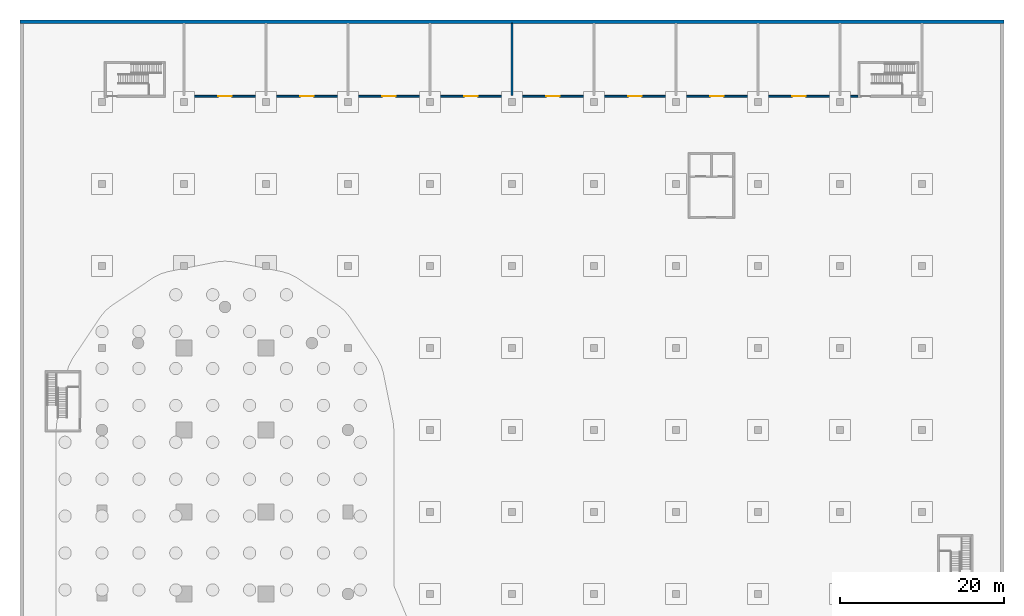
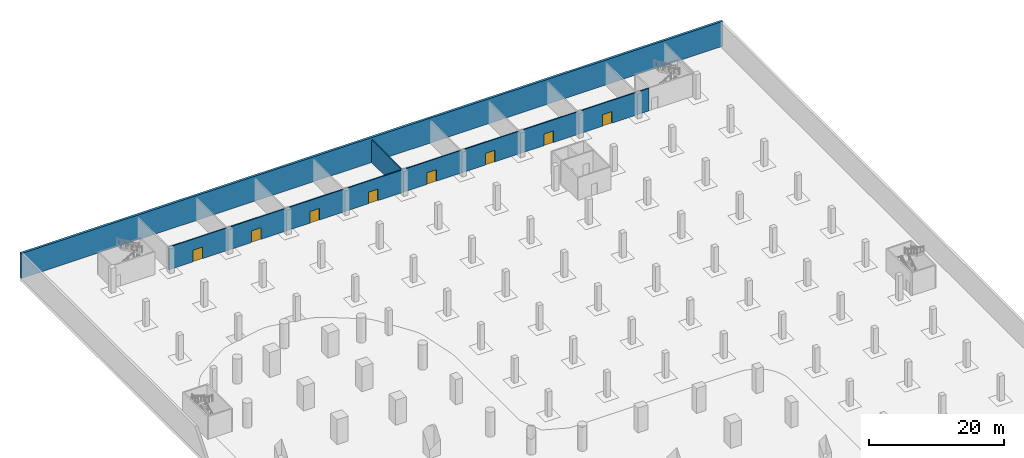
# One storey, part 13 of 19: 8 doors, 3 walls, 8 openings.
"""IFC4 building model written with IfcOpenShell, lengths in metres."""

from ifc_helpers import new_model, si_unit, direction, frame, frame_2d, origin, place, context, subcontext, project, spatial, rectangle, extrude, material, layer, layer_set, type_object, element, fill, save


model = new_model("IFC4")

# Units and contexts
model_context = context("Model", 3, precision=1e-05, world=origin(), true_north=direction((0.0, 1.0)))
body_context = subcontext(model_context, "Body", "Model", "MODEL_VIEW")
ifc_project = project(units=[si_unit("LENGTHUNIT", "METRE"), si_unit("AREAUNIT", "SQUARE_METRE"), si_unit("VOLUMEUNIT", "CUBIC_METRE"), si_unit("PLANEANGLEUNIT", "RADIAN"), si_unit("MASSUNIT", "GRAM", prefix="KILO")], contexts=[model_context])

# Site, building, storey
site_placement = place(None, origin())
site = spatial("IfcSite", under=ifc_project, at=site_placement, CompositionType="ELEMENT")
building_placement = place(site_placement, origin())
building = spatial("IfcBuilding", under=site, at=building_placement, Name="Qaws Garden Tower", CompositionType="ELEMENT")
storey_placement = place(building_placement, frame((0.0, 0.0, -9.0)))
storey = spatial("IfcBuildingStorey", under=building, at=storey_placement, Name="B2", CompositionType="ELEMENT", Elevation=-9.0)

# Wall, openings, doors
ifc_material_1 = material(Name="Blockwork", Category="masonry")
ifc_layer_1 = layer(ifc_material_1, 0.199951171875)
ifc_layer_set_1 = layer_set([ifc_layer_1], Name="Blockwork")
wall_type_1 = type_object("IfcWallType", Name="Plant room wall 200", PredefinedType="PARTITIONING", material=ifc_layer_set_1)
wall_1_placement = place(storey_placement, frame((10.0, 100.699951171875, 0.0), z_axis=(0.0, 0.0, 1.0), x_axis=(1.0, 0.0, 0.0)))
wall_1 = element("IfcWall", 1, at=wall_1_placement, inside=storey, type_object=wall_type_1, Name="Plant room wall", PredefinedType="PARTITIONING", context=body_context, shape_type="SweptSolid", body=[
    extrude(rectangle(XDim=82.199951171875, YDim=0.199951171875, at=frame_2d((41.10009765625, 0.0))), origin(), (0.0, 0.0, 1.0), 4.10009765625),
])
opening_1_placement = place(wall_1_placement, frame((4.199951171875, 0.0, 0.0)))
opening_1 = element("IfcOpeningElement", 2, at=opening_1_placement, cuts=wall_1, Name="Opening PD7-01", PredefinedType="OPENING", context=body_context, shape_type="SweptSolid", body=[
    extrude(rectangle(XDim=1.60009765625, YDim=2.10009765625, at=frame_2d((0.800048828125, 1.050048828125))), frame((0.0, 0.10986328125, 0.0), z_axis=(0.0, -1.0, 0.0), x_axis=(1.0, 0.0, 0.0)), (0.0, 0.0, 1.0), 0.219970703125),
])
opening_2_placement = place(wall_1_placement, frame((14.199951171875, 0.0, 0.0)))
opening_2 = element("IfcOpeningElement", 3, at=opening_2_placement, cuts=wall_1, Name="Opening PD7-02", PredefinedType="OPENING", context=body_context, shape_type="SweptSolid", body=[
    extrude(rectangle(XDim=1.60009765625, YDim=2.10009765625, at=frame_2d((0.800048828125, 1.050048828125))), frame((0.0, 0.10986328125, 0.0), z_axis=(0.0, -1.0, 0.0), x_axis=(1.0, 0.0, 0.0)), (0.0, 0.0, 1.0), 0.219970703125),
])
opening_3_placement = place(wall_1_placement, frame((24.199951171875, 0.0, 0.0)))
opening_3 = element("IfcOpeningElement", 4, at=opening_3_placement, cuts=wall_1, Name="Opening PD7-03", PredefinedType="OPENING", context=body_context, shape_type="SweptSolid", body=[
    extrude(rectangle(XDim=1.60009765625, YDim=2.10009765625, at=frame_2d((0.800048828125, 1.050048828125))), frame((0.0, 0.10986328125, 0.0), z_axis=(0.0, -1.0, 0.0), x_axis=(1.0, 0.0, 0.0)), (0.0, 0.0, 1.0), 0.219970703125),
])
opening_4_placement = place(wall_1_placement, frame((34.199951171875, 0.0, 0.0)))
opening_4 = element("IfcOpeningElement", 5, at=opening_4_placement, cuts=wall_1, Name="Opening PD7-04", PredefinedType="OPENING", context=body_context, shape_type="SweptSolid", body=[
    extrude(rectangle(XDim=1.60009765625, YDim=2.10009765625, at=frame_2d((0.800048828125, 1.050048828125))), frame((0.0, 0.10986328125, 0.0), z_axis=(0.0, -1.0, 0.0), x_axis=(1.0, 0.0, 0.0)), (0.0, 0.0, 1.0), 0.219970703125),
])
opening_5_placement = place(wall_1_placement, frame((44.199951171875, 0.0, 0.0)))
opening_5 = element("IfcOpeningElement", 6, at=opening_5_placement, cuts=wall_1, Name="Opening PD7-05", PredefinedType="OPENING", context=body_context, shape_type="SweptSolid", body=[
    extrude(rectangle(XDim=1.60009765625, YDim=2.10009765625, at=frame_2d((0.800048828125, 1.050048828125))), frame((0.0, 0.10986328125, 0.0), z_axis=(0.0, -1.0, 0.0), x_axis=(1.0, 0.0, 0.0)), (0.0, 0.0, 1.0), 0.219970703125),
])
opening_6_placement = place(wall_1_placement, frame((54.199951171875, 0.0, 0.0)))
opening_6 = element("IfcOpeningElement", 7, at=opening_6_placement, cuts=wall_1, Name="Opening PD7-06", PredefinedType="OPENING", context=body_context, shape_type="SweptSolid", body=[
    extrude(rectangle(XDim=1.60009765625, YDim=2.10009765625, at=frame_2d((0.800048828125, 1.050048828125))), frame((0.0, 0.10986328125, 0.0), z_axis=(0.0, -1.0, 0.0), x_axis=(1.0, 0.0, 0.0)), (0.0, 0.0, 1.0), 0.219970703125),
])
opening_7_placement = place(wall_1_placement, frame((64.199951171875, 0.0, 0.0)))
opening_7 = element("IfcOpeningElement", 8, at=opening_7_placement, cuts=wall_1, Name="Opening PD7-07", PredefinedType="OPENING", context=body_context, shape_type="SweptSolid", body=[
    extrude(rectangle(XDim=1.60009765625, YDim=2.10009765625, at=frame_2d((0.800048828125, 1.050048828125))), frame((0.0, 0.10986328125, 0.0), z_axis=(0.0, -1.0, 0.0), x_axis=(1.0, 0.0, 0.0)), (0.0, 0.0, 1.0), 0.219970703125),
])
opening_8_placement = place(wall_1_placement, frame((74.199951171875, 0.0, 0.0)))
opening_8 = element("IfcOpeningElement", 9, at=opening_8_placement, cuts=wall_1, Name="Opening PD7-08", PredefinedType="OPENING", context=body_context, shape_type="SweptSolid", body=[
    extrude(rectangle(XDim=1.60009765625, YDim=2.10009765625, at=frame_2d((0.800048828125, 1.050048828125))), frame((0.0, 0.10986328125, 0.0), z_axis=(0.0, -1.0, 0.0), x_axis=(1.0, 0.0, 0.0)), (0.0, 0.0, 1.0), 0.219970703125),
])
ifc_material_2 = material(Name="Steel S235 framed door leaf", Category="steel")
door_type = type_object("IfcDoorType", Name="Door D7 plant double 1600", OperationType="DOUBLE_DOOR_SINGLE_SWING", PredefinedType="DOOR", material=ifc_material_2)
door_1_placement = place(opening_1_placement, origin())
door_1 = element("IfcDoor", 10, at=door_1_placement, inside=storey, type_object=door_type, Name="Plant room door", OperationType="DOUBLE_DOOR_SINGLE_SWING", OverallHeight=2.10009765625, OverallWidth=1.60009765625, PredefinedType="DOOR", context=body_context, shape_type="SweptSolid", body=[
    extrude(rectangle(XDim=1.60009765625, YDim=2.10009765625, at=frame_2d((0.800048828125, 1.050048828125))), frame((0.0, 0.02490234375, 0.0), z_axis=(0.0, -1.0, 0.0), x_axis=(1.0, 0.0, 0.0)), (0.0, 0.0, 1.0), 0.050048828125),
])
fill(opening_1, door_1)
door_2_placement = place(opening_2_placement, origin())
door_2 = element("IfcDoor", 11, at=door_2_placement, inside=storey, type_object=door_type, Name="Plant room door", OperationType="DOUBLE_DOOR_SINGLE_SWING", OverallHeight=2.10009765625, OverallWidth=1.60009765625, PredefinedType="DOOR", context=body_context, shape_type="SweptSolid", body=[
    extrude(rectangle(XDim=1.60009765625, YDim=2.10009765625, at=frame_2d((0.800048828125, 1.050048828125))), frame((0.0, 0.02490234375, 0.0), z_axis=(0.0, -1.0, 0.0), x_axis=(1.0, 0.0, 0.0)), (0.0, 0.0, 1.0), 0.050048828125),
])
fill(opening_2, door_2)
door_3_placement = place(opening_3_placement, origin())
door_3 = element("IfcDoor", 12, at=door_3_placement, inside=storey, type_object=door_type, Name="Plant room door", OperationType="DOUBLE_DOOR_SINGLE_SWING", OverallHeight=2.10009765625, OverallWidth=1.60009765625, PredefinedType="DOOR", context=body_context, shape_type="SweptSolid", body=[
    extrude(rectangle(XDim=1.60009765625, YDim=2.10009765625, at=frame_2d((0.800048828125, 1.050048828125))), frame((0.0, 0.02490234375, 0.0), z_axis=(0.0, -1.0, 0.0), x_axis=(1.0, 0.0, 0.0)), (0.0, 0.0, 1.0), 0.050048828125),
])
fill(opening_3, door_3)
door_4_placement = place(opening_4_placement, origin())
door_4 = element("IfcDoor", 13, at=door_4_placement, inside=storey, type_object=door_type, Name="Plant room door", OperationType="DOUBLE_DOOR_SINGLE_SWING", OverallHeight=2.10009765625, OverallWidth=1.60009765625, PredefinedType="DOOR", context=body_context, shape_type="SweptSolid", body=[
    extrude(rectangle(XDim=1.60009765625, YDim=2.10009765625, at=frame_2d((0.800048828125, 1.050048828125))), frame((0.0, 0.02490234375, 0.0), z_axis=(0.0, -1.0, 0.0), x_axis=(1.0, 0.0, 0.0)), (0.0, 0.0, 1.0), 0.050048828125),
])
fill(opening_4, door_4)
door_5_placement = place(opening_5_placement, origin())
door_5 = element("IfcDoor", 14, at=door_5_placement, inside=storey, type_object=door_type, Name="Plant room door", OperationType="DOUBLE_DOOR_SINGLE_SWING", OverallHeight=2.10009765625, OverallWidth=1.60009765625, PredefinedType="DOOR", context=body_context, shape_type="SweptSolid", body=[
    extrude(rectangle(XDim=1.60009765625, YDim=2.10009765625, at=frame_2d((0.800048828125, 1.050048828125))), frame((0.0, 0.02490234375, 0.0), z_axis=(0.0, -1.0, 0.0), x_axis=(1.0, 0.0, 0.0)), (0.0, 0.0, 1.0), 0.050048828125),
])
fill(opening_5, door_5)
door_6_placement = place(opening_6_placement, origin())
door_6 = element("IfcDoor", 15, at=door_6_placement, inside=storey, type_object=door_type, Name="Plant room door", OperationType="DOUBLE_DOOR_SINGLE_SWING", OverallHeight=2.10009765625, OverallWidth=1.60009765625, PredefinedType="DOOR", context=body_context, shape_type="SweptSolid", body=[
    extrude(rectangle(XDim=1.60009765625, YDim=2.10009765625, at=frame_2d((0.800048828125, 1.050048828125))), frame((0.0, 0.02490234375, 0.0), z_axis=(0.0, -1.0, 0.0), x_axis=(1.0, 0.0, 0.0)), (0.0, 0.0, 1.0), 0.050048828125),
])
fill(opening_6, door_6)
door_7_placement = place(opening_7_placement, origin())
door_7 = element("IfcDoor", 16, at=door_7_placement, inside=storey, type_object=door_type, Name="Plant room door", OperationType="DOUBLE_DOOR_SINGLE_SWING", OverallHeight=2.10009765625, OverallWidth=1.60009765625, PredefinedType="DOOR", context=body_context, shape_type="SweptSolid", body=[
    extrude(rectangle(XDim=1.60009765625, YDim=2.10009765625, at=frame_2d((0.800048828125, 1.050048828125))), frame((0.0, 0.02490234375, 0.0), z_axis=(0.0, -1.0, 0.0), x_axis=(1.0, 0.0, 0.0)), (0.0, 0.0, 1.0), 0.050048828125),
])
fill(opening_7, door_7)
door_8_placement = place(opening_8_placement, origin())
door_8 = element("IfcDoor", 17, at=door_8_placement, inside=storey, type_object=door_type, Name="Plant room door", OperationType="DOUBLE_DOOR_SINGLE_SWING", OverallHeight=2.10009765625, OverallWidth=1.60009765625, PredefinedType="DOOR", context=body_context, shape_type="SweptSolid", body=[
    extrude(rectangle(XDim=1.60009765625, YDim=2.10009765625, at=frame_2d((0.800048828125, 1.050048828125))), frame((0.0, 0.02490234375, 0.0), z_axis=(0.0, -1.0, 0.0), x_axis=(1.0, 0.0, 0.0)), (0.0, 0.0, 1.0), 0.050048828125),
])
fill(opening_8, door_8)

# Walls
wall_2_placement = place(storey_placement, frame((50.0, 100.800048828125, 0.0), z_axis=(0.0, 0.0, 1.0), x_axis=(0.0, 1.0, 0.0)))
element("IfcWall", 18, at=wall_2_placement, inside=storey, type_object=wall_type_1, Name="Plant room partition", PredefinedType="PARTITIONING", context=body_context, shape_type="SweptSolid", body=[
    extrude(rectangle(XDim=8.800048828125, YDim=0.199951171875, at=frame_2d((4.39990234375, 0.0))), origin(), (0.0, 0.0, 1.0), 4.10009765625),
])
ifc_material_3 = material(Name="Concrete C45", Category="concrete")
ifc_layer_2 = layer(ifc_material_3, 0.39990234375)
ifc_layer_set_2 = layer_set([ifc_layer_2], Name="Concrete C45")
wall_type_2 = type_object("IfcWallType", Name="Retaining wall 400", PredefinedType="SOLIDWALL", material=ifc_layer_set_2)
wall_3_placement = place(storey_placement, frame((110.0, 109.800048828125, 0.0), z_axis=(0.0, 0.0, 1.0), x_axis=(-1.0, 0.0, 0.0)))
element("IfcWall", 19, at=wall_3_placement, inside=storey, type_object=wall_type_2, Name="Retaining wall N B2", PredefinedType="SOLIDWALL", context=body_context, shape_type="SweptSolid", body=[
    extrude(rectangle(XDim=120.0, YDim=0.39990234375, at=frame_2d((60.0, 0.0))), origin(), (0.0, 0.0, 1.0), 4.5),
])

save(model, "model.ifc")
